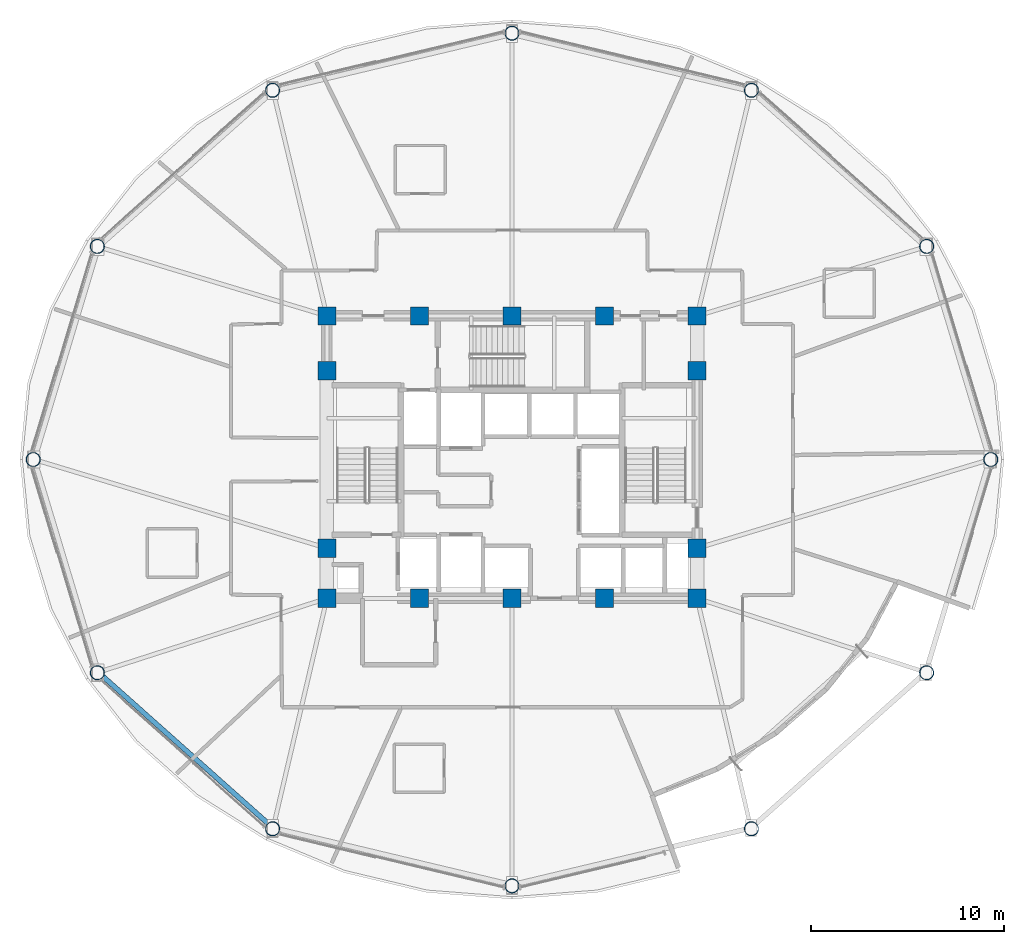
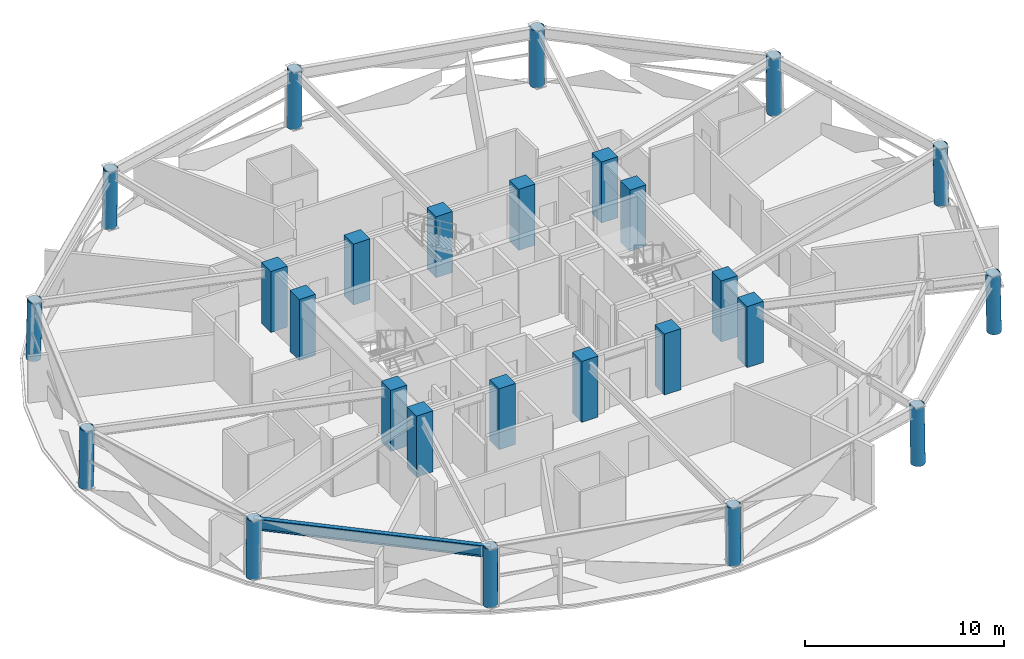
# One storey, part 1 of 16: 26 columns, 1 beam.
"""IFC4 building model written with IfcOpenShell, lengths in metres."""

from ifc_helpers import new_model, si_unit, direction, frame, origin, origin_2d, place, context, subcontext, project, spatial, rectangle, hollow_circle, i_section, extrude, material, material_profile, profile_set, type_object, element, save


model = new_model("IFC4")

# Units and contexts
model_context = context("Model", 3, precision=1e-05, world=origin(), true_north=direction((0.0, 1.0)))
body_context = subcontext(model_context, "Body", "Model", "MODEL_VIEW")
ifc_project = project(units=[si_unit("LENGTHUNIT", "METRE"), si_unit("AREAUNIT", "SQUARE_METRE"), si_unit("VOLUMEUNIT", "CUBIC_METRE"), si_unit("PLANEANGLEUNIT", "RADIAN"), si_unit("MASSUNIT", "GRAM", prefix="KILO")], contexts=[model_context])

# Site, building, storey
site_placement = place(None, origin())
site = spatial("IfcSite", under=ifc_project, at=site_placement, CompositionType="ELEMENT")
building_placement = place(site_placement, origin())
building = spatial("IfcBuilding", under=site, at=building_placement, Name="Vantalir Tower", CompositionType="ELEMENT")
storey_placement = place(building_placement, frame((0.0, 0.0, 145.949951171875)))
storey = spatial("IfcBuildingStorey", under=building, at=storey_placement, Name="L36", CompositionType="ELEMENT", Elevation=145.949951171875)

# Columns
ifc_material_1 = material(Name="Concrete C60/75", Category="concrete")
ifc_material_profile_1 = material_profile(ifc_material_1, rectangle(XDim=0.949951171875, YDim=0.949951171875, at=origin_2d()), Name="Concrete C60/75")
ifc_profile_set_1 = profile_set([ifc_material_profile_1], Name="Concrete C60/75")
column_type_1 = type_object("IfcColumnType", Name="COL-CC-950", PredefinedType="COLUMN", material=ifc_profile_set_1)
for number, where, z_axis, x_axis, name in (
    (1, (21.89990234375, 17.800048828125, 0.0), (0.0, 0.0, 1.0), (1.0, 0.0, 0.0), "L36 Core Column CC01"),
    (2, (26.699951171875, 17.800048828125, 0.0), (0.0, 0.0, 1.0), (1.0, 0.0, 0.0), "L36 Core Column CC02"),
    (3, (31.5, 17.800048828125, 0.0), (0.0, 0.0, 1.0), (1.0, 0.0, 0.0), "L36 Core Column CC03"),
    (4, (36.300048828125, 17.800048828125, 0.0), (0.0, 0.0, 1.0), (1.0, 0.0, 0.0), "L36 Core Column CC04"),
    (5, (41.10009765625, 17.800048828125, 0.0), (0.0, 0.0, 1.0), (1.0, 0.0, 0.0), "L36 Core Column CC05"),
    (6, (21.89990234375, 20.39990234375, 0.0), (0.0, 0.0, 1.0), (1.0, 0.0, 0.0), "L36 Core Column CC06"),
    (7, (21.89990234375, 29.60009765625, 0.0), (0.0, 0.0, 1.0), (1.0, 0.0, 0.0), "L36 Core Column CC07"),
    (8, (41.10009765625, 20.39990234375, 0.0), (0.0, 0.0, 1.0), (1.0, 0.0, 0.0), "L36 Core Column CC08"),
    (9, (41.10009765625, 29.60009765625, 0.0), (0.0, 0.0, 1.0), (1.0, 0.0, 0.0), "L36 Core Column CC09"),
    (10, (21.89990234375, 32.449951171875, 0.0), (0.0, 0.0, 1.0), (1.0, 0.0, 0.0), "L36 Core Column CC10"),
    (11, (26.699951171875, 32.449951171875, 0.0), (0.0, 0.0, 1.0), (1.0, 0.0, 0.0), "L36 Core Column CC11"),
    (12, (31.5, 32.449951171875, 0.0), (0.0, 0.0, 1.0), (1.0, 0.0, 0.0), "L36 Core Column CC12"),
    (13, (36.300048828125, 32.449951171875, 0.0), (0.0, 0.0, 1.0), (1.0, 0.0, 0.0), "L36 Core Column CC13"),
    (14, (41.10009765625, 32.449951171875, 0.0), (0.0, 0.0, 1.0), (1.0, 0.0, 0.0), "L36 Core Column CC14"),
):
    element("IfcColumn", number, at=place(storey_placement, frame(where, z_axis=z_axis, x_axis=x_axis)), inside=storey, type_object=column_type_1, Name=name, PredefinedType="COLUMN", context=body_context, shape_type="SweptSolid", body=[
        extrude(rectangle(XDim=0.949951171875, YDim=0.949951171875, at=origin_2d()), origin(), (0.0, 0.0, 1.0), 3.75),
    ])
ifc_material_2 = material(Name="Steel S460", Category="steel")
ifc_material_profile_2 = material_profile(ifc_material_2, hollow_circle(Radius=0.375, WallThickness=0.034912109375, at=origin_2d()), Name="Steel S460")
ifc_profile_set_2 = profile_set([ifc_material_profile_2], Name="Steel S460")
column_type_2 = type_object("IfcColumnType", Name="COL-RC-750", PredefinedType="COLUMN", material=ifc_profile_set_2)
for number, where, z_axis, x_axis, name in (
    (15, (56.344970703125, 25.0, 0.0), (-0.017367276966, 0.0, 0.999849177472), (0.0, -1.0, 0.0), "L36 Perimeter Ring Column RC01"),
    (16, (53.01611328125, 36.06201171875, 0.0), (-0.014905904401, -0.00786320645, 0.999857981915), (0.466582315111, -0.88447777995, 0.0), "L36 Perimeter Ring Column RC02"),
    (17, (43.923095703125, 44.159912109375, 0.0), (-0.008683840888, -0.013401833182, 0.999872482757), (0.839225358586, -0.543783778267, 0.0), "L36 Perimeter Ring Column RC03"),
    (18, (31.5, 47.1240234375, 0.0), (0.0, -0.015384898463, 0.999881645446), (1.0, 0.0, 0.0), "L36 Perimeter Ring Column RC04"),
    (19, (19.077880859375, 44.159912109375, 0.0), (0.008683840888, -0.013401833182, 0.999872482757), (0.839225358586, 0.543783778267, 0.0), "L36 Perimeter Ring Column RC05"),
    (20, (9.98388671875, 36.06201171875, 0.0), (0.014905904401, -0.00786320645, 0.999857981915), (0.466582315111, 0.88447777995, 0.0), "L36 Perimeter Ring Column RC06"),
    (21, (6.655029296875, 25.0, 0.0), (0.017367276966, 0.0, 0.999849177472), (0.0, 1.0, 0.0), "L36 Perimeter Ring Column RC07"),
    (22, (9.98388671875, 13.93798828125, 0.0), (0.0149059359, 0.007589719656, 0.999860094829), (-0.453742064917, 0.891133064432, 0.0), "L36 Perimeter Ring Column RC08"),
    (23, (19.076904296875, 5.840087890625, 0.0), (0.008683840888, 0.013401833182, 0.999872482757), (-0.839225358586, 0.543783778267, 0.0), "L36 Perimeter Ring Column RC09"),
    (24, (31.5, 2.8759765625, 0.0), (0.0, 0.015384898463, 0.999881645446), (-1.0, 0.0, 0.0), "L36 Perimeter Ring Column RC10"),
    (25, (43.923095703125, 5.840087890625, 0.0), (-0.008683840888, 0.013401833182, 0.999872482757), (-0.839225358586, -0.543783778267, 0.0), "L36 Perimeter Ring Column RC11"),
    (26, (53.01611328125, 13.93798828125, 0.0), (-0.0149059359, 0.007589719656, 0.999860094829), (-0.453742064917, -0.891133064432, 0.0), "L36 Perimeter Ring Column RC12"),
):
    element("IfcColumn", number, at=place(storey_placement, frame(where, z_axis=z_axis, x_axis=x_axis)), inside=storey, type_object=column_type_2, Name=name, PredefinedType="COLUMN", context=body_context, shape_type="SweptSolid", body=[
        extrude(hollow_circle(Radius=0.375, WallThickness=0.034912109375, at=origin_2d()), origin(), (0.0, 0.0, 1.0), 3.570556640625),
    ])

# Beam
ifc_material_profile_3 = material_profile(ifc_material_2, i_section(OverallWidth=0.256103515625, OverallDepth=0.693115234375, WebThickness=0.014404296875, FlangeThickness=0.023681640625, at=origin_2d()), Name="Steel S460")
ifc_profile_set_3 = profile_set([ifc_material_profile_3], Name="Steel S460")
beam_type = type_object("IfcBeamType", Name="BM-RG-686x254", PredefinedType="USERDEFINED", material=ifc_profile_set_3)
beam_placement = place(storey_placement, frame((10.037109375, 13.965087890625, 3.22412109375), z_axis=(0.746827909531, -0.665017348305, 0.0), x_axis=(0.665017348305, 0.746827909531, 0.0)))
element("IfcBeam", 27, at=beam_placement, inside=storey, type_object=beam_type, Name="L36 Circumferential Ring Girder 08", ObjectType="GIRDER", PredefinedType="USERDEFINED", context=body_context, shape_type="SweptSolid", body=[
    extrude(i_section(OverallWidth=0.256103515625, OverallDepth=0.693115234375, WebThickness=0.014404296875, FlangeThickness=0.023681640625, at=origin_2d()), origin(), (0.0, 0.0, 1.0), 12.145751953125),
])

save(model, "model.ifc")
